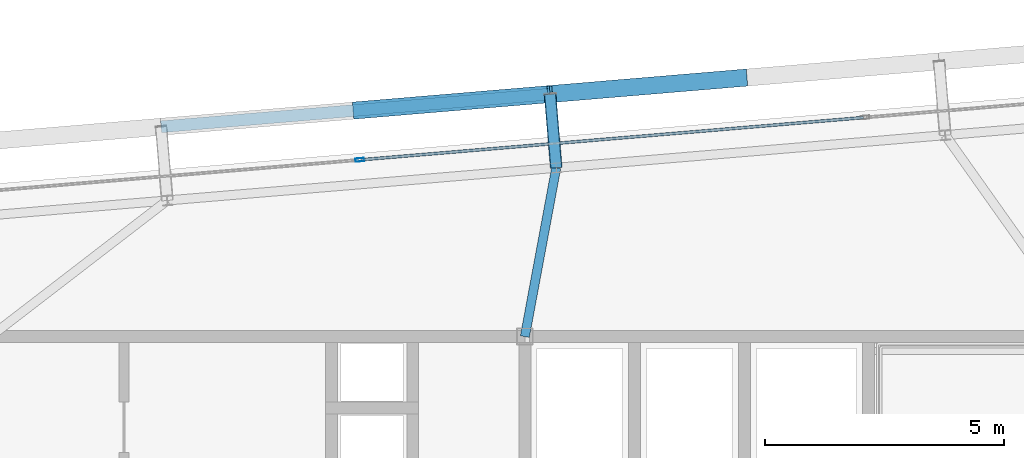
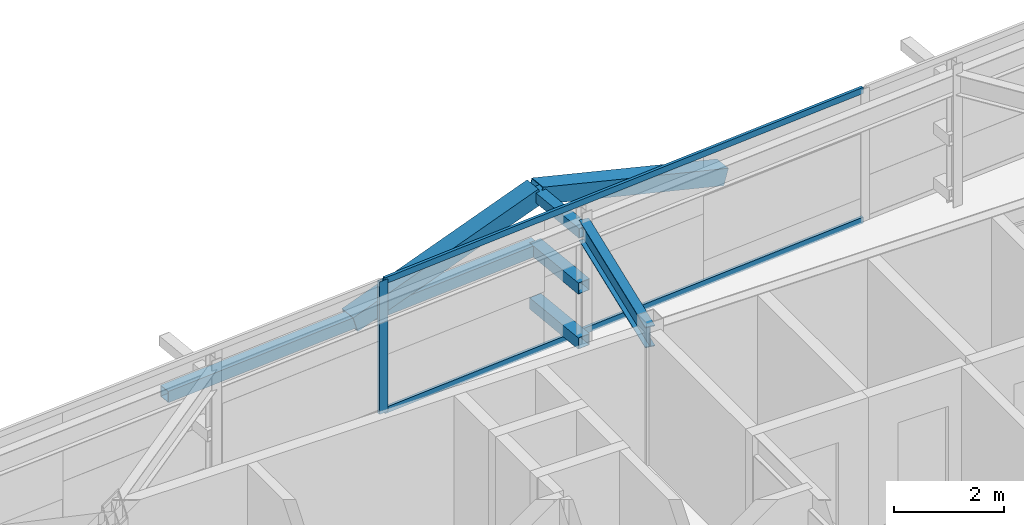
# One storey, part 23 of 39: 9 members, 1 beam, 1 element without a shape of its own.
"""IFC4 building model written with IfcOpenShell, lengths in metres."""

from ifc_helpers import new_model, si_unit, direction, frame, origin, origin_2d, place, context, subcontext, project, spatial, hollow_rectangle, i_section, extrude, source, transform, mapped, material, layer, layer_set, material_profile, profile_set, type_object, element, aggregate, save


model = new_model("IFC4")

# Units and contexts
model_context = context("Model", 3, precision=1e-05, world=origin(), true_north=direction((0.0, 1.0)))
body_context = subcontext(model_context, "Body", "Model", "MODEL_VIEW")
ifc_project = project(units=[si_unit("LENGTHUNIT", "METRE"), si_unit("AREAUNIT", "SQUARE_METRE"), si_unit("VOLUMEUNIT", "CUBIC_METRE"), si_unit("PLANEANGLEUNIT", "RADIAN"), si_unit("MASSUNIT", "GRAM", prefix="KILO")], contexts=[model_context])

# Site, building, storey
site_placement = place(None, origin())
site = spatial("IfcSite", under=ifc_project, at=site_placement, CompositionType="ELEMENT")
building_placement = place(site_placement, origin())
building = spatial("IfcBuilding", under=site, at=building_placement, Name="Taldren Reach Tower", CompositionType="ELEMENT")
storey_placement = place(building_placement, frame((0.0, 0.0, 197.75)))
storey = spatial("IfcBuildingStorey", under=building, at=storey_placement, Name="L60", CompositionType="ELEMENT", Elevation=197.75)

# Members
ifc_material_1 = material(Name="Steel Gr 350 (C350L0)", Category="steel")
ifc_material_profile_1 = material_profile(ifc_material_1, hollow_rectangle(XDim=0.25, YDim=0.25, WallThickness=0.010009765625, at=origin_2d()), Name="250x250x10.0SHS")
ifc_profile_set_1 = profile_set([ifc_material_profile_1], Name="Steel Gr 350 (C350L0)")
member_type_1 = type_object("IfcMemberType", Name="MB-POST250", PredefinedType="POST", material=ifc_profile_set_1)
shared_shape_1 = source(origin(), body_context, "Body", "SweptSolid", [
    extrude(hollow_rectangle(XDim=0.25, YDim=0.25, WallThickness=0.010009765625, at=origin_2d()), origin(), (0.0, 0.0, 1.0), 1.5498046875),
])
for number, where, z_axis, x_axis, name in (
    (1, (39.857666015625, 35.537109375, 0.219970703125), (-0.083645141657, 0.996495604746, 0.0), (-0.996495604746, -0.083645141657, 0.0), "Exoskeleton base diaphragm tie strut B4-N4 L60"),
    (2, (39.857666015625, 35.537109375, 1.43505859375), (-0.083645141657, 0.996495604746, 0.0), (-0.996495604746, -0.083645141657, 0.0), "Exoskeleton mid-tier diaphragm tie B4-N4 L60"),
):
    element("IfcMember", number, at=place(storey_placement, frame(where, z_axis=z_axis, x_axis=x_axis)), inside=storey, type_object=member_type_1, Name=name, PredefinedType="POST", context=body_context, shape_type="MappedRepresentation", body=[
        mapped(shared_shape_1, transform((0.0, 0.0, 0.0), scale=1.0)),
    ])

# Beam
ifc_material_2 = material(Name="Steel Gr 350 (350PLUS)", Category="steel")
ifc_material_profile_2 = material_profile(ifc_material_2, i_section(OverallWidth=0.19091796875, OverallDepth=0.4599609375, WebThickness=0.010009765625, FlangeThickness=0.01611328125, at=origin_2d()), Name="460UB82.1")
ifc_profile_set_2 = profile_set([ifc_material_profile_2], Name="Steel Gr 350 (350PLUS)")
beam_type = type_object("IfcBeamType", Name="BM-UB460A", PredefinedType="BEAM", material=ifc_profile_set_2)
shared_shape_2 = source(origin(), body_context, "Body", "SweptSolid", [
    extrude(i_section(OverallWidth=0.19091796875, OverallDepth=0.4599609375, WebThickness=0.010009765625, FlangeThickness=0.01611328125, at=origin_2d()), origin(), (0.0, 0.0, 1.0), 3.59765625),
])
beam_placement = place(storey_placement, frame((39.199951171875, 32.0, 2.699951171875), z_axis=(0.182813344882, 0.983147639438, 0.0), x_axis=(-0.983147639438, 0.182813344882, 0.0)))
element("IfcBeam", 3, at=beam_placement, inside=storey, type_object=beam_type, Name="Primary floor girder B4-N4 L60", PredefinedType="BEAM", context=body_context, shape_type="MappedRepresentation", body=[
    mapped(shared_shape_2, transform((0.0, 0.0, 0.0), scale=1.0)),
])

# Members
ifc_material_3 = material(Name="Steel Gr 450 (C450L0)", Category="steel")
ifc_material_profile_3 = material_profile(ifc_material_3, hollow_rectangle(XDim=0.219970703125, YDim=0.219970703125, WallThickness=0.00830078125, at=origin_2d()), Name="220x220x8.2SHS")
ifc_profile_set_3 = profile_set([ifc_material_profile_3], Name="Steel Gr 450 (C450L0)")
member_type_2 = type_object("IfcMemberType", Name="MB-TIE219", PredefinedType="STRUT", material=ifc_profile_set_3)
shared_shape_3 = source(origin(), body_context, "Body", "SweptSolid", [
    extrude(hollow_rectangle(XDim=0.219970703125, YDim=0.219970703125, WallThickness=0.00830078125, at=origin_2d()), origin(), (0.0, 0.0, 1.0), 1.5498046875),
])
member_1_placement = place(storey_placement, frame((39.857666015625, 35.537109375, 2.64990234375), z_axis=(-0.083645141657, 0.996495604746, 0.0), x_axis=(-0.996495604746, -0.083645141657, 0.0)))
element("IfcMember", 4, at=member_1_placement, inside=storey, type_object=member_type_2, Name="Exoskeleton diaphragm tie strut B4-N4 L60", PredefinedType="STRUT", context=body_context, shape_type="MappedRepresentation", body=[
    mapped(shared_shape_3, transform((0.0, 0.0, 0.0), scale=1.0)),
])
shared_shape_4 = source(origin(), body_context, "Body", "SweptSolid", [
    extrude(hollow_rectangle(XDim=0.25, YDim=0.25, WallThickness=0.010009765625, at=origin_2d()), origin(), (0.0, 0.0, 1.0), 8.18017578125),
])
member_2_placement = place(storey_placement, frame((31.57666015625, 36.39697265625, 1.43505859375), z_axis=(0.996492034688, 0.083687662192, 0.0), x_axis=(-0.083687662192, 0.996492034688, 0.0)))
element("IfcMember", 5, at=member_2_placement, inside=storey, type_object=member_type_1, Name="Exoskeleton mid-height ring chord B4-N3 L60", PredefinedType="POST", context=body_context, shape_type="MappedRepresentation", body=[
    mapped(shared_shape_4, transform((0.0, 0.0, 0.0), scale=1.0)),
])
ifc_material_profile_4 = material_profile(ifc_material_3, hollow_rectangle(XDim=0.360107421875, YDim=0.360107421875, WallThickness=0.0126953125, at=origin_2d()), Name="360x360x12.7SHS")
ifc_profile_set_4 = profile_set([ifc_material_profile_4], Name="Steel Gr 450 (C450L0)")
member_type_3 = type_object("IfcMemberType", Name="MB-EXO356", PredefinedType="BRACE", material=ifc_profile_set_4)
shared_shape_5 = source(origin(), body_context, "Body", "SweptSolid", [
    extrude(hollow_rectangle(XDim=0.360107421875, YDim=0.360107421875, WallThickness=0.0126953125, at=origin_2d()), origin(), (0.0, 0.0, 1.0), 4.2666015625),
])
for number, where, z_axis, x_axis, name in (
    (6, (35.65234375, 36.7392578125, 1.43505859375), (0.955244723646, 0.080223619417, 0.284730906006), (-0.083687662192, 0.996492034688, 0.0), "Exoskeleton Diagrid Brace B4-N3 L60"),
    (7, (43.8037109375, 37.423828125, 1.43505859375), (-0.955244723646, -0.080223619417, 0.284730906006), (0.083687662192, -0.996492034688, 0.0), "Exoskeleton Diagrid Brace B4-N4 L60"),
):
    element("IfcMember", number, at=place(storey_placement, frame(where, z_axis=z_axis, x_axis=x_axis)), inside=storey, type_object=member_type_3, Name=name, PredefinedType="BRACE", context=body_context, shape_type="MappedRepresentation", body=[
        mapped(shared_shape_5, transform((0.0, 0.0, 0.0), scale=1.0)),
    ])

# Curtain wall, members
ifc_material_4 = material(Name="Aluminium and Low-E Glass Unitised System", Category="aluminium")
ifc_layer = layer(ifc_material_4, 0.159912109375)
ifc_layer_set = layer_set([ifc_layer], Name="Aluminium and Low-E Glass Unitised System")
curtain_wall_type = type_object("IfcCurtainWallType", Name="CW-SYS-5", PredefinedType="NOTDEFINED", material=ifc_layer_set)
curtain_wall_placement = place(storey_placement, origin())
curtain_wall = element("IfcCurtainWall", 8, at=curtain_wall_placement, inside=storey, type_object=curtain_wall_type, Name="Unitised curtain wall CW-L60-N", PredefinedType="NOTDEFINED")
ifc_material_5 = material(Name="Anodised Aluminium 6063-T6", Category="aluminium")
ifc_material_profile_5 = material_profile(ifc_material_5, hollow_rectangle(XDim=0.070068359375, YDim=0.179931640625, WallThickness=0.00390625, at=origin_2d()), Name="ALU-180x70x4RHS")
ifc_profile_set_5 = profile_set([ifc_material_profile_5], Name="Anodised Aluminium 6063-T6")
member_type_4 = type_object("IfcMemberType", Name="CW-MUL-180", PredefinedType="MULLION", material=ifc_profile_set_5)
shared_shape_6 = source(origin(), body_context, "Body", "SweptSolid", [
    extrude(hollow_rectangle(XDim=0.070068359375, YDim=0.179931640625, WallThickness=0.00390625, at=origin_2d()), origin(), (0.0, 0.0, 1.0), 2.929931640625),
])
member_3_placement = place(storey_placement, frame((35.739501953125, 35.702880859375, 0.0), z_axis=(0.0, 0.0, 1.0), x_axis=(0.083677875247, -0.99649285657, 0.0)))
member_3 = element("IfcMember", 9, at=member_3_placement, type_object=member_type_4, Name="CW-5 mullion 3", PredefinedType="MULLION", context=body_context, shape_type="MappedRepresentation", body=[
    mapped(shared_shape_6, transform((0.0, 0.0, 0.0), scale=1.0)),
])
ifc_material_profile_6 = material_profile(ifc_material_5, hollow_rectangle(XDim=0.06005859375, YDim=0.135009765625, WallThickness=0.00341796875, at=origin_2d()), Name="ALU-135x60x3.5RHS")
ifc_profile_set_6 = profile_set([ifc_material_profile_6], Name="Anodised Aluminium 6063-T6")
member_type_5 = type_object("IfcMemberType", Name="CW-TRN-150", PredefinedType="USERDEFINED", material=ifc_profile_set_6)
shared_shape_7 = source(origin(), body_context, "Body", "SweptSolid", [
    extrude(hollow_rectangle(XDim=0.06005859375, YDim=0.135009765625, WallThickness=0.00341796875, at=origin_2d()), origin(), (0.0, 0.0, 1.0), 10.55517578125),
])
member_4_placement = place(storey_placement, frame((46.292236328125, 36.589111328125, 0.030029296875), z_axis=(-0.996492274094, -0.083684811468, 0.0), x_axis=(0.083684811468, -0.996492274094, 0.0)))
member_4 = element("IfcMember", 10, at=member_4_placement, type_object=member_type_5, Name="CW-5 transom 2.1", ObjectType="TRANSOM", PredefinedType="USERDEFINED", context=body_context, shape_type="MappedRepresentation", body=[
    mapped(shared_shape_7, transform((0.0, 0.0, 0.0), scale=1.0)),
])
member_5_placement = place(storey_placement, frame((46.292236328125, 36.589111328125, 2.89990234375), z_axis=(-0.996492274094, -0.083684811468, 0.0), x_axis=(0.083684811468, -0.996492274094, 0.0)))
member_5 = element("IfcMember", 11, at=member_5_placement, type_object=member_type_5, Name="CW-5 transom 2.2", ObjectType="TRANSOM", PredefinedType="USERDEFINED", context=body_context, shape_type="MappedRepresentation", body=[
    mapped(shared_shape_7, transform((0.0, 0.0, 0.0), scale=1.0)),
])
aggregate(curtain_wall, [member_3, member_4, member_5])

save(model, "model.ifc")
